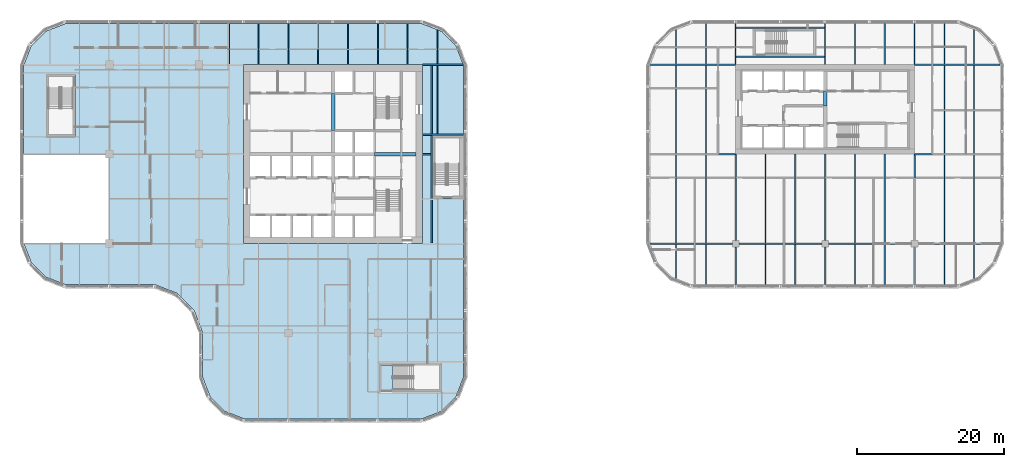
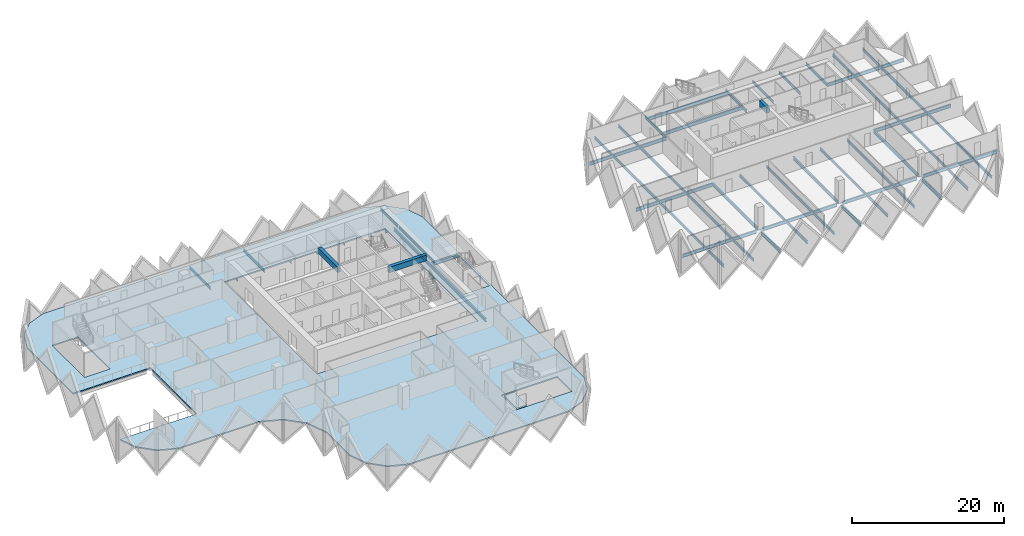
# One storey, part 2 of 18: 61 beams, 2 slabs.
"""IFC4 building model written with IfcOpenShell, lengths in metres."""

from ifc_helpers import new_model, si_unit, direction, frame, origin, origin_2d, place, context, subcontext, project, spatial, polyline, rectangle, i_section, outline, extrude, material, layer, layer_set, material_profile, profile_set, type_object, element, save


model = new_model("IFC4")

# Units and contexts
model_context = context("Model", 3, precision=1e-05, world=origin(), true_north=direction((0.0, 1.0)))
body_context = subcontext(model_context, "Body", "Model", "MODEL_VIEW")
ifc_project = project(units=[si_unit("LENGTHUNIT", "METRE"), si_unit("AREAUNIT", "SQUARE_METRE"), si_unit("VOLUMEUNIT", "CUBIC_METRE"), si_unit("PLANEANGLEUNIT", "RADIAN"), si_unit("MASSUNIT", "GRAM", prefix="KILO")], contexts=[model_context])

# Site, building, storey
site_placement = place(None, origin())
site = spatial("IfcSite", under=ifc_project, at=site_placement, CompositionType="ELEMENT")
building_placement = place(site_placement, origin())
building = spatial("IfcBuilding", under=site, at=building_placement, Name="Tessera Gate Towers", CompositionType="ELEMENT")
storey_placement = place(building_placement, frame((0.0, 0.0, 37.199951171875)))
storey = spatial("IfcBuildingStorey", under=building, at=storey_placement, Name="L08", CompositionType="ELEMENT", Elevation=37.199951171875)

# Beams
ifc_material_1 = material(Name="Concrete C60/75", Category="concrete")
ifc_material_profile_1 = material_profile(ifc_material_1, rectangle(XDim=0.5, YDim=0.89990234375, at=origin_2d()), Name="RC 500x900")
ifc_profile_set_1 = profile_set([ifc_material_profile_1], Name="Concrete C60/75")
beam_type_1 = type_object("IfcBeamType", Name="COUPLING BEAM 500x900 C60/75", PredefinedType="BEAM", material=ifc_profile_set_1)
beam_1_placement = place(storey_placement, frame((109.800048828125, 43.199951171875, 3.150146484375), z_axis=(0.0, 1.0, 0.0), x_axis=(-1.0, 0.0, 0.0)))
element("IfcBeam", 1, at=beam_1_placement, inside=storey, type_object=beam_type_1, Name="L08 coupling beam 1", PredefinedType="BEAM", context=body_context, shape_type="SweptSolid", body=[
    extrude(rectangle(XDim=0.5, YDim=0.89990234375, at=origin_2d()), origin(), (0.0, 0.0, 1.0), 2.0),
])
ifc_material_2 = material(Name="Concrete C70/85", Category="concrete")
ifc_material_profile_2 = material_profile(ifc_material_2, rectangle(XDim=0.5, YDim=0.89990234375, at=origin_2d()), Name="RC 500x900")
ifc_profile_set_2 = profile_set([ifc_material_profile_2], Name="Concrete C70/85")
beam_type_2 = type_object("IfcBeamType", Name="COUPLING BEAM 500x900 C70/85", PredefinedType="BEAM", material=ifc_profile_set_2)
beam_2_placement = place(storey_placement, frame((48.35009765625, 36.60009765625, 3.150146484375), z_axis=(1.0, 0.0, 0.0), x_axis=(0.0, 1.0, 0.0)))
element("IfcBeam", 2, at=beam_2_placement, inside=storey, type_object=beam_type_2, Name="L08 coupling beam 1", PredefinedType="BEAM", context=body_context, shape_type="SweptSolid", body=[
    extrude(rectangle(XDim=0.5, YDim=0.89990234375, at=origin_2d()), origin(), (0.0, 0.0, 1.0), 5.64990234375),
])
beam_3_placement = place(storey_placement, frame((42.699951171875, 39.800048828125, 3.150146484375), z_axis=(0.0, 1.0, 0.0), x_axis=(-1.0, 0.0, 0.0)))
element("IfcBeam", 3, at=beam_3_placement, inside=storey, type_object=beam_type_2, Name="L08 coupling beam 2", PredefinedType="BEAM", context=body_context, shape_type="SweptSolid", body=[
    extrude(rectangle(XDim=0.5, YDim=0.89990234375, at=origin_2d()), origin(), (0.0, 0.0, 1.0), 5.099853515625),
])
ifc_material_3 = material(Name="Steel 350W", Category="steel")
ifc_material_profile_3 = material_profile(ifc_material_3, i_section(OverallWidth=0.208984375, OverallDepth=0.532958984375, WebThickness=0.01025390625, FlangeThickness=0.015625, at=origin_2d()), Name="W530x92")
ifc_profile_set_3 = profile_set([ifc_material_profile_3], Name="Steel 350W")
beam_type_3 = type_object("IfcBeamType", Name="FLOOR GIRDER W530x92", PredefinedType="BEAM", material=ifc_profile_set_3)
beam_4_placement = place(storey_placement, frame((54.89892578125, 36.60009765625, -0.466552734375), z_axis=(1.0, 0.0, 0.0), x_axis=(0.0, 1.0, 0.0)))
element("IfcBeam", 4, at=beam_4_placement, inside=storey, type_object=beam_type_3, Name="T1-GD-L08-1286", PredefinedType="BEAM", context=body_context, shape_type="SweptSolid", body=[
    extrude(i_section(OverallWidth=0.208984375, OverallDepth=0.532958984375, WebThickness=0.01025390625, FlangeThickness=0.015625, at=origin_2d()), origin(), (0.0, 0.0, 1.0), 1.176513671875),
])
beam_5_placement = place(storey_placement, frame((54.90087890625, 48.800048828125, -0.466552734375), z_axis=(1.0, 0.0, 0.0), x_axis=(0.0, 1.0, 0.0)))
element("IfcBeam", 5, at=beam_5_placement, inside=storey, type_object=beam_type_3, Name="T1-GD-L08-1290", PredefinedType="BEAM", context=body_context, shape_type="SweptSolid", body=[
    extrude(i_section(OverallWidth=0.208984375, OverallDepth=0.532958984375, WebThickness=0.01025390625, FlangeThickness=0.015625, at=origin_2d()), origin(), (0.0, 0.0, 1.0), 5.564208984375),
])
beam_6_placement = place(storey_placement, frame((54.89892578125, 39.219970703125, -0.466552734375), z_axis=(1.0, 0.0, 0.0), x_axis=(0.0, 1.0, 0.0)))
element("IfcBeam", 6, at=beam_6_placement, inside=storey, type_object=beam_type_3, Name="T1-GD-L08-1308", PredefinedType="BEAM", context=body_context, shape_type="SweptSolid", body=[
    extrude(i_section(OverallWidth=0.208984375, OverallDepth=0.532958984375, WebThickness=0.01025390625, FlangeThickness=0.015625, at=origin_2d()), origin(), (0.0, 0.0, 1.0), 5.60205078125),
])
beam_7_placement = place(storey_placement, frame((56.179931640625, 24.50439453125, -0.466552734375), z_axis=(0.0, 1.0, 0.0), x_axis=(-1.0, 0.0, 0.0)))
element("IfcBeam", 7, at=beam_7_placement, inside=storey, type_object=beam_type_3, Name="T1-GD-L08-1309", PredefinedType="BEAM", context=body_context, shape_type="SweptSolid", body=[
    extrude(i_section(OverallWidth=0.208984375, OverallDepth=0.532958984375, WebThickness=0.01025390625, FlangeThickness=0.015625, at=origin_2d()), origin(), (0.0, 0.0, 1.0), 24.191162109375),
])
beam_8_placement = place(storey_placement, frame((85.934814453125, 24.39990234375, -0.466552734375), z_axis=(1.0, 0.0, 0.0), x_axis=(0.0, 1.0, 0.0)))
element("IfcBeam", 8, at=beam_8_placement, inside=storey, type_object=beam_type_3, Name="T2-GD-L08-1350", PredefinedType="BEAM", context=body_context, shape_type="SweptSolid", body=[
    extrude(i_section(OverallWidth=0.208984375, OverallDepth=0.532958984375, WebThickness=0.01025390625, FlangeThickness=0.015625, at=origin_2d()), origin(), (0.0, 0.0, 1.0), 11.215087890625),
])
for number, where, z_axis, x_axis, name in (
    (9, (98.050048828125, 24.39990234375, -0.466552734375), (1.0, 0.0, 0.0), (0.0, 1.0, 0.0), "T2-GD-L08-1351"),
    (10, (110.25, 24.39990234375, -0.466552734375), (1.0, 0.0, 0.0), (0.0, 1.0, 0.0), "T2-GD-L08-1352"),
):
    element("IfcBeam", number, at=place(storey_placement, frame(where, z_axis=z_axis, x_axis=x_axis)), inside=storey, type_object=beam_type_3, Name=name, PredefinedType="BEAM", context=body_context, shape_type="SweptSolid", body=[
        extrude(i_section(OverallWidth=0.208984375, OverallDepth=0.532958984375, WebThickness=0.01025390625, FlangeThickness=0.015625, at=origin_2d()), origin(), (0.0, 0.0, 1.0), 11.300048828125),
    ])
beam_9_placement = place(storey_placement, frame((122.449951171875, 24.39990234375, -0.466552734375), z_axis=(1.0, 0.0, 0.0), x_axis=(0.0, 1.0, 0.0)))
element("IfcBeam", 11, at=beam_9_placement, inside=storey, type_object=beam_type_3, Name="T2-GD-L08-1353", PredefinedType="BEAM", context=body_context, shape_type="SweptSolid", body=[
    extrude(i_section(OverallWidth=0.208984375, OverallDepth=0.532958984375, WebThickness=0.01025390625, FlangeThickness=0.015625, at=origin_2d()), origin(), (0.0, 0.0, 1.0), 11.21533203125),
])
beam_10_placement = place(storey_placement, frame((85.89892578125, 36.60009765625, -0.466552734375), z_axis=(1.0, 0.0, 0.0), x_axis=(0.0, 1.0, 0.0)))
element("IfcBeam", 12, at=beam_10_placement, inside=storey, type_object=beam_type_3, Name="T2-GD-L08-1354", PredefinedType="BEAM", context=body_context, shape_type="SweptSolid", body=[
    extrude(i_section(OverallWidth=0.208984375, OverallDepth=0.532958984375, WebThickness=0.01025390625, FlangeThickness=0.015625, at=origin_2d()), origin(), (0.0, 0.0, 1.0), 11.7001953125),
])
beam_11_placement = place(storey_placement, frame((122.0009765625, 36.60009765625, -0.466552734375), z_axis=(1.0, 0.0, 0.0), x_axis=(0.0, 1.0, 0.0)))
element("IfcBeam", 13, at=beam_11_placement, inside=storey, type_object=beam_type_3, Name="T2-GD-L08-1355", PredefinedType="BEAM", context=body_context, shape_type="SweptSolid", body=[
    extrude(i_section(OverallWidth=0.208984375, OverallDepth=0.532958984375, WebThickness=0.01025390625, FlangeThickness=0.015625, at=origin_2d()), origin(), (0.0, 0.0, 1.0), 11.699951171875),
])
for number, where, z_axis, x_axis, name in (
    (14, (85.934814453125, 48.800048828125, -0.466552734375), (1.0, 0.0, 0.0), (0.0, 1.0, 0.0), "T2-GD-L08-1356"),
    (15, (122.0009765625, 48.800048828125, -0.466552734375), (1.0, 0.0, 0.0), (0.0, 1.0, 0.0), "T2-GD-L08-1357"),
):
    element("IfcBeam", number, at=place(storey_placement, frame(where, z_axis=z_axis, x_axis=x_axis)), inside=storey, type_object=beam_type_3, Name=name, PredefinedType="BEAM", context=body_context, shape_type="SweptSolid", body=[
        extrude(i_section(OverallWidth=0.208984375, OverallDepth=0.532958984375, WebThickness=0.01025390625, FlangeThickness=0.015625, at=origin_2d()), origin(), (0.0, 0.0, 1.0), 11.664306640625),
    ])
beam_12_placement = place(storey_placement, frame((97.60009765625, 18.799072265625, -0.466552734375), z_axis=(0.0, 1.0, 0.0), x_axis=(-1.0, 0.0, 0.0)))
element("IfcBeam", 16, at=beam_12_placement, inside=storey, type_object=beam_type_3, Name="T2-GD-L08-1358", PredefinedType="BEAM", context=body_context, shape_type="SweptSolid", body=[
    extrude(i_section(OverallWidth=0.208984375, OverallDepth=0.532958984375, WebThickness=0.01025390625, FlangeThickness=0.015625, at=origin_2d()), origin(), (0.0, 0.0, 1.0), 5.15087890625),
])
beam_13_placement = place(storey_placement, frame((97.60009765625, 24.85009765625, -0.466552734375), z_axis=(0.0, 1.0, 0.0), x_axis=(-1.0, 0.0, 0.0)))
element("IfcBeam", 17, at=beam_13_placement, inside=storey, type_object=beam_type_3, Name="T2-GD-L08-1359", PredefinedType="BEAM", context=body_context, shape_type="SweptSolid", body=[
    extrude(i_section(OverallWidth=0.208984375, OverallDepth=0.532958984375, WebThickness=0.01025390625, FlangeThickness=0.015625, at=origin_2d()), origin(), (0.0, 0.0, 1.0), 11.75),
])
beam_14_placement = place(storey_placement, frame((109.800048828125, 18.799072265625, -0.466552734375), z_axis=(0.0, 1.0, 0.0), x_axis=(-1.0, 0.0, 0.0)))
element("IfcBeam", 18, at=beam_14_placement, inside=storey, type_object=beam_type_3, Name="T2-GD-L08-1360", PredefinedType="BEAM", context=body_context, shape_type="SweptSolid", body=[
    extrude(i_section(OverallWidth=0.208984375, OverallDepth=0.532958984375, WebThickness=0.01025390625, FlangeThickness=0.015625, at=origin_2d()), origin(), (0.0, 0.0, 1.0), 5.15087890625),
])
beam_15_placement = place(storey_placement, frame((109.800048828125, 24.85009765625, -0.466552734375), z_axis=(0.0, 1.0, 0.0), x_axis=(-1.0, 0.0, 0.0)))
element("IfcBeam", 19, at=beam_15_placement, inside=storey, type_object=beam_type_3, Name="T2-GD-L08-1361", PredefinedType="BEAM", context=body_context, shape_type="SweptSolid", body=[
    extrude(i_section(OverallWidth=0.208984375, OverallDepth=0.532958984375, WebThickness=0.01025390625, FlangeThickness=0.015625, at=origin_2d()), origin(), (0.0, 0.0, 1.0), 11.75),
])
beam_16_placement = place(storey_placement, frame((122.0, 18.799072265625, -0.466552734375), z_axis=(0.0, 1.0, 0.0), x_axis=(-1.0, 0.0, 0.0)))
element("IfcBeam", 20, at=beam_16_placement, inside=storey, type_object=beam_type_3, Name="T2-GD-L08-1362", PredefinedType="BEAM", context=body_context, shape_type="SweptSolid", body=[
    extrude(i_section(OverallWidth=0.208984375, OverallDepth=0.532958984375, WebThickness=0.01025390625, FlangeThickness=0.015625, at=origin_2d()), origin(), (0.0, 0.0, 1.0), 5.15087890625),
])
beam_17_placement = place(storey_placement, frame((122.0, 24.85009765625, -0.466552734375), z_axis=(0.0, 1.0, 0.0), x_axis=(-1.0, 0.0, 0.0)))
element("IfcBeam", 21, at=beam_17_placement, inside=storey, type_object=beam_type_3, Name="T2-GD-L08-1363", PredefinedType="BEAM", context=body_context, shape_type="SweptSolid", body=[
    extrude(i_section(OverallWidth=0.208984375, OverallDepth=0.532958984375, WebThickness=0.01025390625, FlangeThickness=0.015625, at=origin_2d()), origin(), (0.0, 0.0, 1.0), 11.75),
])
for number, where, z_axis, x_axis, name in (
    (22, (97.676513671875, 49.8798828125, -0.466552734375), (1.0, 0.0, 0.0), (0.0, 1.0, 0.0), "T2-GD-L08-1364"),
    (23, (97.676513671875, 53.820068359375, -0.466552734375), (1.0, 0.0, 0.0), (0.0, 1.0, 0.0), "T2-GD-L08-1365"),
):
    element("IfcBeam", number, at=place(storey_placement, frame(where, z_axis=z_axis, x_axis=x_axis)), inside=storey, type_object=beam_type_3, Name=name, PredefinedType="BEAM", context=body_context, shape_type="SweptSolid", body=[
        extrude(i_section(OverallWidth=0.208984375, OverallDepth=0.532958984375, WebThickness=0.01025390625, FlangeThickness=0.015625, at=origin_2d()), origin(), (0.0, 0.0, 1.0), 12.046875),
    ])
ifc_material_4 = material(Name="Steel 350W", Category="steel")
ifc_material_profile_4 = material_profile(ifc_material_4, i_section(OverallWidth=0.153076171875, OverallDepth=0.455078125, WebThickness=0.008056640625, FlangeThickness=0.01318359375, at=origin_2d()), Name="W460x60")
ifc_profile_set_4 = profile_set([ifc_material_profile_4], Name="Steel 350W")
beam_type_4 = type_object("IfcBeamType", Name="FLOOR SECONDARY W460x60", PredefinedType="BEAM", material=ifc_profile_set_4)
beam_18_placement = place(storey_placement, frame((28.466796875, 48.904541015625, -0.427490234375), z_axis=(0.0, 1.0, 0.0), x_axis=(-1.0, 0.0, 0.0)))
element("IfcBeam", 24, at=beam_18_placement, inside=storey, type_object=beam_type_4, Name="T1-BM-L08-1328", PredefinedType="BEAM", context=body_context, shape_type="SweptSolid", body=[
    extrude(i_section(OverallWidth=0.153076171875, OverallDepth=0.455078125, WebThickness=0.008056640625, FlangeThickness=0.01318359375, at=origin_2d()), origin(), (0.0, 0.0, 1.0), 5.495361328125),
])
for number, where, z_axis, x_axis, name in (
    (25, (32.533203125, 48.800048828125, -0.427490234375), (0.0, 1.0, 0.0), (-1.0, 0.0, 0.0), "T1-BM-L08-1331"),
    (26, (36.60009765625, 48.800048828125, -0.427490234375), (0.0, 1.0, 0.0), (-1.0, 0.0, 0.0), "T1-BM-L08-1332"),
    (27, (40.666748046875, 48.800048828125, -0.427490234375), (0.0, 1.0, 0.0), (-1.0, 0.0, 0.0), "T1-BM-L08-1335"),
    (28, (44.7333984375, 48.800048828125, -0.427490234375), (0.0, 1.0, 0.0), (-1.0, 0.0, 0.0), "T1-BM-L08-1338"),
    (29, (48.800048828125, 48.800048828125, -0.427490234375), (0.0, 1.0, 0.0), (-1.0, 0.0, 0.0), "T1-BM-L08-1339"),
    (30, (52.86669921875, 48.800048828125, -0.427490234375), (0.0, 1.0, 0.0), (-1.0, 0.0, 0.0), "T1-BM-L08-1343"),
):
    element("IfcBeam", number, at=place(storey_placement, frame(where, z_axis=z_axis, x_axis=x_axis)), inside=storey, type_object=beam_type_4, Name=name, PredefinedType="BEAM", context=body_context, shape_type="SweptSolid", body=[
        extrude(i_section(OverallWidth=0.153076171875, OverallDepth=0.455078125, WebThickness=0.008056640625, FlangeThickness=0.01318359375, at=origin_2d()), origin(), (0.0, 0.0, 1.0), 5.599853515625),
    ])
beam_19_placement = place(storey_placement, frame((56.933349609375, 39.324462890625, -0.427490234375), z_axis=(0.0, 1.0, 0.0), x_axis=(-1.0, 0.0, 0.0)))
element("IfcBeam", 31, at=beam_19_placement, inside=storey, type_object=beam_type_4, Name="T1-BM-L08-1348", PredefinedType="BEAM", context=body_context, shape_type="SweptSolid", body=[
    extrude(i_section(OverallWidth=0.153076171875, OverallDepth=0.455078125, WebThickness=0.008056640625, FlangeThickness=0.01318359375, at=origin_2d()), origin(), (0.0, 0.0, 1.0), 9.37109375),
])
for number, where, z_axis, x_axis, name in (
    (32, (56.933349609375, 48.904541015625, -0.427490234375), (0.0, 1.0, 0.0), (-1.0, 0.0, 0.0), "T1-BM-L08-1349"),
    (33, (89.466796875, 19.620361328125, -0.427490234375), (0.0, 1.0, 0.0), (-1.0, 0.0, 0.0), "T2-BM-L08-1366"),
):
    element("IfcBeam", number, at=place(storey_placement, frame(where, z_axis=z_axis, x_axis=x_axis)), inside=storey, type_object=beam_type_4, Name=name, PredefinedType="BEAM", context=body_context, shape_type="SweptSolid", body=[
        extrude(i_section(OverallWidth=0.153076171875, OverallDepth=0.455078125, WebThickness=0.008056640625, FlangeThickness=0.01318359375, at=origin_2d()), origin(), (0.0, 0.0, 1.0), 4.675048828125),
    ])
beam_20_placement = place(storey_placement, frame((89.466796875, 24.50439453125, -0.427490234375), z_axis=(0.0, 1.0, 0.0), x_axis=(-1.0, 0.0, 0.0)))
element("IfcBeam", 34, at=beam_20_placement, inside=storey, type_object=beam_type_4, Name="T2-BM-L08-1367", PredefinedType="BEAM", context=body_context, shape_type="SweptSolid", body=[
    extrude(i_section(OverallWidth=0.153076171875, OverallDepth=0.455078125, WebThickness=0.008056640625, FlangeThickness=0.01318359375, at=origin_2d()), origin(), (0.0, 0.0, 1.0), 11.9912109375),
])
beam_21_placement = place(storey_placement, frame((89.466796875, 36.70458984375, -0.427490234375), z_axis=(0.0, 1.0, 0.0), x_axis=(-1.0, 0.0, 0.0)))
element("IfcBeam", 35, at=beam_21_placement, inside=storey, type_object=beam_type_4, Name="T2-BM-L08-1368", PredefinedType="BEAM", context=body_context, shape_type="SweptSolid", body=[
    extrude(i_section(OverallWidth=0.153076171875, OverallDepth=0.455078125, WebThickness=0.008056640625, FlangeThickness=0.01318359375, at=origin_2d()), origin(), (0.0, 0.0, 1.0), 11.990966796875),
])
beam_22_placement = place(storey_placement, frame((89.466796875, 48.904541015625, -0.427490234375), z_axis=(0.0, 1.0, 0.0), x_axis=(-1.0, 0.0, 0.0)))
element("IfcBeam", 36, at=beam_22_placement, inside=storey, type_object=beam_type_4, Name="T2-BM-L08-1369", PredefinedType="BEAM", context=body_context, shape_type="SweptSolid", body=[
    extrude(i_section(OverallWidth=0.153076171875, OverallDepth=0.455078125, WebThickness=0.008056640625, FlangeThickness=0.01318359375, at=origin_2d()), origin(), (0.0, 0.0, 1.0), 4.675048828125),
])
beam_23_placement = place(storey_placement, frame((93.533203125, 18.800048828125, -0.427490234375), z_axis=(0.0, 1.0, 0.0), x_axis=(-1.0, 0.0, 0.0)))
element("IfcBeam", 37, at=beam_23_placement, inside=storey, type_object=beam_type_4, Name="T2-BM-L08-1370", PredefinedType="BEAM", context=body_context, shape_type="SweptSolid", body=[
    extrude(i_section(OverallWidth=0.153076171875, OverallDepth=0.455078125, WebThickness=0.008056640625, FlangeThickness=0.01318359375, at=origin_2d()), origin(), (0.0, 0.0, 1.0), 5.495361328125),
])
beam_24_placement = place(storey_placement, frame((93.533203125, 24.50439453125, -0.427490234375), z_axis=(0.0, 1.0, 0.0), x_axis=(-1.0, 0.0, 0.0)))
element("IfcBeam", 38, at=beam_24_placement, inside=storey, type_object=beam_type_4, Name="T2-BM-L08-1371", PredefinedType="BEAM", context=body_context, shape_type="SweptSolid", body=[
    extrude(i_section(OverallWidth=0.153076171875, OverallDepth=0.455078125, WebThickness=0.008056640625, FlangeThickness=0.01318359375, at=origin_2d()), origin(), (0.0, 0.0, 1.0), 11.9912109375),
])
beam_25_placement = place(storey_placement, frame((93.533203125, 36.70458984375, -0.427490234375), z_axis=(0.0, 1.0, 0.0), x_axis=(-1.0, 0.0, 0.0)))
element("IfcBeam", 39, at=beam_25_placement, inside=storey, type_object=beam_type_4, Name="T2-BM-L08-1372", PredefinedType="BEAM", context=body_context, shape_type="SweptSolid", body=[
    extrude(i_section(OverallWidth=0.153076171875, OverallDepth=0.455078125, WebThickness=0.008056640625, FlangeThickness=0.01318359375, at=origin_2d()), origin(), (0.0, 0.0, 1.0), 11.990966796875),
])
beam_26_placement = place(storey_placement, frame((93.533203125, 48.904541015625, -0.427490234375), z_axis=(0.0, 1.0, 0.0), x_axis=(-1.0, 0.0, 0.0)))
element("IfcBeam", 40, at=beam_26_placement, inside=storey, type_object=beam_type_4, Name="T2-BM-L08-1373", PredefinedType="BEAM", context=body_context, shape_type="SweptSolid", body=[
    extrude(i_section(OverallWidth=0.153076171875, OverallDepth=0.455078125, WebThickness=0.008056640625, FlangeThickness=0.01318359375, at=origin_2d()), origin(), (0.0, 0.0, 1.0), 5.495361328125),
])
beam_27_placement = place(storey_placement, frame((97.60009765625, 48.800048828125, -0.427490234375), z_axis=(0.0, 1.0, 0.0), x_axis=(-1.0, 0.0, 0.0)))
element("IfcBeam", 41, at=beam_27_placement, inside=storey, type_object=beam_type_4, Name="T2-BM-L08-1374", PredefinedType="BEAM", context=body_context, shape_type="SweptSolid", body=[
    extrude(i_section(OverallWidth=0.153076171875, OverallDepth=0.455078125, WebThickness=0.008056640625, FlangeThickness=0.01318359375, at=origin_2d()), origin(), (0.0, 0.0, 1.0), 5.599853515625),
])
beam_28_placement = place(storey_placement, frame((101.666748046875, 18.800048828125, -0.427490234375), z_axis=(0.0, 1.0, 0.0), x_axis=(-1.0, 0.0, 0.0)))
element("IfcBeam", 42, at=beam_28_placement, inside=storey, type_object=beam_type_4, Name="T2-BM-L08-1375", PredefinedType="BEAM", context=body_context, shape_type="SweptSolid", body=[
    extrude(i_section(OverallWidth=0.153076171875, OverallDepth=0.455078125, WebThickness=0.008056640625, FlangeThickness=0.01318359375, at=origin_2d()), origin(), (0.0, 0.0, 1.0), 5.495361328125),
])
beam_29_placement = place(storey_placement, frame((101.666748046875, 24.50439453125, -0.427490234375), z_axis=(0.0, 1.0, 0.0), x_axis=(-1.0, 0.0, 0.0)))
element("IfcBeam", 43, at=beam_29_placement, inside=storey, type_object=beam_type_4, Name="T2-BM-L08-1376", PredefinedType="BEAM", context=body_context, shape_type="SweptSolid", body=[
    extrude(i_section(OverallWidth=0.153076171875, OverallDepth=0.455078125, WebThickness=0.008056640625, FlangeThickness=0.01318359375, at=origin_2d()), origin(), (0.0, 0.0, 1.0), 12.095703125),
])
beam_30_placement = place(storey_placement, frame((105.7333984375, 18.800048828125, -0.427490234375), z_axis=(0.0, 1.0, 0.0), x_axis=(-1.0, 0.0, 0.0)))
element("IfcBeam", 44, at=beam_30_placement, inside=storey, type_object=beam_type_4, Name="T2-BM-L08-1377", PredefinedType="BEAM", context=body_context, shape_type="SweptSolid", body=[
    extrude(i_section(OverallWidth=0.153076171875, OverallDepth=0.455078125, WebThickness=0.008056640625, FlangeThickness=0.01318359375, at=origin_2d()), origin(), (0.0, 0.0, 1.0), 5.495361328125),
])
beam_31_placement = place(storey_placement, frame((105.7333984375, 24.50439453125, -0.427490234375), z_axis=(0.0, 1.0, 0.0), x_axis=(-1.0, 0.0, 0.0)))
element("IfcBeam", 45, at=beam_31_placement, inside=storey, type_object=beam_type_4, Name="T2-BM-L08-1378", PredefinedType="BEAM", context=body_context, shape_type="SweptSolid", body=[
    extrude(i_section(OverallWidth=0.153076171875, OverallDepth=0.455078125, WebThickness=0.008056640625, FlangeThickness=0.01318359375, at=origin_2d()), origin(), (0.0, 0.0, 1.0), 12.095703125),
])
beam_32_placement = place(storey_placement, frame((109.800048828125, 48.800048828125, -0.427490234375), z_axis=(0.0, 1.0, 0.0), x_axis=(-1.0, 0.0, 0.0)))
element("IfcBeam", 46, at=beam_32_placement, inside=storey, type_object=beam_type_4, Name="T2-BM-L08-1379", PredefinedType="BEAM", context=body_context, shape_type="SweptSolid", body=[
    extrude(i_section(OverallWidth=0.153076171875, OverallDepth=0.455078125, WebThickness=0.008056640625, FlangeThickness=0.01318359375, at=origin_2d()), origin(), (0.0, 0.0, 1.0), 5.599853515625),
])
beam_33_placement = place(storey_placement, frame((113.86669921875, 18.800048828125, -0.427490234375), z_axis=(0.0, 1.0, 0.0), x_axis=(-1.0, 0.0, 0.0)))
element("IfcBeam", 47, at=beam_33_placement, inside=storey, type_object=beam_type_4, Name="T2-BM-L08-1380", PredefinedType="BEAM", context=body_context, shape_type="SweptSolid", body=[
    extrude(i_section(OverallWidth=0.153076171875, OverallDepth=0.455078125, WebThickness=0.008056640625, FlangeThickness=0.01318359375, at=origin_2d()), origin(), (0.0, 0.0, 1.0), 5.495361328125),
])
beam_34_placement = place(storey_placement, frame((113.86669921875, 24.50439453125, -0.427490234375), z_axis=(0.0, 1.0, 0.0), x_axis=(-1.0, 0.0, 0.0)))
element("IfcBeam", 48, at=beam_34_placement, inside=storey, type_object=beam_type_4, Name="T2-BM-L08-1381", PredefinedType="BEAM", context=body_context, shape_type="SweptSolid", body=[
    extrude(i_section(OverallWidth=0.153076171875, OverallDepth=0.455078125, WebThickness=0.008056640625, FlangeThickness=0.01318359375, at=origin_2d()), origin(), (0.0, 0.0, 1.0), 12.095703125),
])
beam_35_placement = place(storey_placement, frame((113.86669921875, 48.800048828125, -0.427490234375), z_axis=(0.0, 1.0, 0.0), x_axis=(-1.0, 0.0, 0.0)))
element("IfcBeam", 49, at=beam_35_placement, inside=storey, type_object=beam_type_4, Name="T2-BM-L08-1382", PredefinedType="BEAM", context=body_context, shape_type="SweptSolid", body=[
    extrude(i_section(OverallWidth=0.153076171875, OverallDepth=0.455078125, WebThickness=0.008056640625, FlangeThickness=0.01318359375, at=origin_2d()), origin(), (0.0, 0.0, 1.0), 5.599853515625),
])
beam_36_placement = place(storey_placement, frame((117.933349609375, 18.800048828125, -0.427490234375), z_axis=(0.0, 1.0, 0.0), x_axis=(-1.0, 0.0, 0.0)))
element("IfcBeam", 50, at=beam_36_placement, inside=storey, type_object=beam_type_4, Name="T2-BM-L08-1383", PredefinedType="BEAM", context=body_context, shape_type="SweptSolid", body=[
    extrude(i_section(OverallWidth=0.153076171875, OverallDepth=0.455078125, WebThickness=0.008056640625, FlangeThickness=0.01318359375, at=origin_2d()), origin(), (0.0, 0.0, 1.0), 5.495361328125),
])
beam_37_placement = place(storey_placement, frame((117.933349609375, 24.50439453125, -0.427490234375), z_axis=(0.0, 1.0, 0.0), x_axis=(-1.0, 0.0, 0.0)))
element("IfcBeam", 51, at=beam_37_placement, inside=storey, type_object=beam_type_4, Name="T2-BM-L08-1384", PredefinedType="BEAM", context=body_context, shape_type="SweptSolid", body=[
    extrude(i_section(OverallWidth=0.153076171875, OverallDepth=0.455078125, WebThickness=0.008056640625, FlangeThickness=0.01318359375, at=origin_2d()), origin(), (0.0, 0.0, 1.0), 12.095703125),
])
for number, where, z_axis, x_axis, name in (
    (52, (117.933349609375, 48.800048828125, -0.427490234375), (0.0, 1.0, 0.0), (-1.0, 0.0, 0.0), "T2-BM-L08-1385"),
    (53, (122.0, 48.800048828125, -0.427490234375), (0.0, 1.0, 0.0), (-1.0, 0.0, 0.0), "T2-BM-L08-1386"),
):
    element("IfcBeam", number, at=place(storey_placement, frame(where, z_axis=z_axis, x_axis=x_axis)), inside=storey, type_object=beam_type_4, Name=name, PredefinedType="BEAM", context=body_context, shape_type="SweptSolid", body=[
        extrude(i_section(OverallWidth=0.153076171875, OverallDepth=0.455078125, WebThickness=0.008056640625, FlangeThickness=0.01318359375, at=origin_2d()), origin(), (0.0, 0.0, 1.0), 5.599853515625),
    ])
beam_38_placement = place(storey_placement, frame((126.066650390625, 18.800048828125, -0.427490234375), z_axis=(0.0, 1.0, 0.0), x_axis=(-1.0, 0.0, 0.0)))
element("IfcBeam", 54, at=beam_38_placement, inside=storey, type_object=beam_type_4, Name="T2-BM-L08-1387", PredefinedType="BEAM", context=body_context, shape_type="SweptSolid", body=[
    extrude(i_section(OverallWidth=0.153076171875, OverallDepth=0.455078125, WebThickness=0.008056640625, FlangeThickness=0.01318359375, at=origin_2d()), origin(), (0.0, 0.0, 1.0), 5.495361328125),
])
beam_39_placement = place(storey_placement, frame((126.066650390625, 24.50439453125, -0.427490234375), z_axis=(0.0, 1.0, 0.0), x_axis=(-1.0, 0.0, 0.0)))
element("IfcBeam", 55, at=beam_39_placement, inside=storey, type_object=beam_type_4, Name="T2-BM-L08-1388", PredefinedType="BEAM", context=body_context, shape_type="SweptSolid", body=[
    extrude(i_section(OverallWidth=0.153076171875, OverallDepth=0.455078125, WebThickness=0.008056640625, FlangeThickness=0.01318359375, at=origin_2d()), origin(), (0.0, 0.0, 1.0), 11.9912109375),
])
beam_40_placement = place(storey_placement, frame((126.066650390625, 36.70458984375, -0.427490234375), z_axis=(0.0, 1.0, 0.0), x_axis=(-1.0, 0.0, 0.0)))
element("IfcBeam", 56, at=beam_40_placement, inside=storey, type_object=beam_type_4, Name="T2-BM-L08-1389", PredefinedType="BEAM", context=body_context, shape_type="SweptSolid", body=[
    extrude(i_section(OverallWidth=0.153076171875, OverallDepth=0.455078125, WebThickness=0.008056640625, FlangeThickness=0.01318359375, at=origin_2d()), origin(), (0.0, 0.0, 1.0), 11.990966796875),
])
beam_41_placement = place(storey_placement, frame((126.066650390625, 48.904541015625, -0.427490234375), z_axis=(0.0, 1.0, 0.0), x_axis=(-1.0, 0.0, 0.0)))
element("IfcBeam", 57, at=beam_41_placement, inside=storey, type_object=beam_type_4, Name="T2-BM-L08-1390", PredefinedType="BEAM", context=body_context, shape_type="SweptSolid", body=[
    extrude(i_section(OverallWidth=0.153076171875, OverallDepth=0.455078125, WebThickness=0.008056640625, FlangeThickness=0.01318359375, at=origin_2d()), origin(), (0.0, 0.0, 1.0), 5.495361328125),
])
beam_42_placement = place(storey_placement, frame((130.13330078125, 19.620361328125, -0.427490234375), z_axis=(0.0, 1.0, 0.0), x_axis=(-1.0, 0.0, 0.0)))
element("IfcBeam", 58, at=beam_42_placement, inside=storey, type_object=beam_type_4, Name="T2-BM-L08-1391", PredefinedType="BEAM", context=body_context, shape_type="SweptSolid", body=[
    extrude(i_section(OverallWidth=0.153076171875, OverallDepth=0.455078125, WebThickness=0.008056640625, FlangeThickness=0.01318359375, at=origin_2d()), origin(), (0.0, 0.0, 1.0), 4.675048828125),
])
beam_43_placement = place(storey_placement, frame((130.13330078125, 24.50439453125, -0.427490234375), z_axis=(0.0, 1.0, 0.0), x_axis=(-1.0, 0.0, 0.0)))
element("IfcBeam", 59, at=beam_43_placement, inside=storey, type_object=beam_type_4, Name="T2-BM-L08-1392", PredefinedType="BEAM", context=body_context, shape_type="SweptSolid", body=[
    extrude(i_section(OverallWidth=0.153076171875, OverallDepth=0.455078125, WebThickness=0.008056640625, FlangeThickness=0.01318359375, at=origin_2d()), origin(), (0.0, 0.0, 1.0), 11.9912109375),
])
beam_44_placement = place(storey_placement, frame((130.13330078125, 36.70458984375, -0.427490234375), z_axis=(0.0, 1.0, 0.0), x_axis=(-1.0, 0.0, 0.0)))
element("IfcBeam", 60, at=beam_44_placement, inside=storey, type_object=beam_type_4, Name="T2-BM-L08-1393", PredefinedType="BEAM", context=body_context, shape_type="SweptSolid", body=[
    extrude(i_section(OverallWidth=0.153076171875, OverallDepth=0.455078125, WebThickness=0.008056640625, FlangeThickness=0.01318359375, at=origin_2d()), origin(), (0.0, 0.0, 1.0), 11.990966796875),
])
beam_45_placement = place(storey_placement, frame((130.13330078125, 48.904541015625, -0.427490234375), z_axis=(0.0, 1.0, 0.0), x_axis=(-1.0, 0.0, 0.0)))
element("IfcBeam", 61, at=beam_45_placement, inside=storey, type_object=beam_type_4, Name="T2-BM-L08-1394", PredefinedType="BEAM", context=body_context, shape_type="SweptSolid", body=[
    extrude(i_section(OverallWidth=0.153076171875, OverallDepth=0.455078125, WebThickness=0.008056640625, FlangeThickness=0.01318359375, at=origin_2d()), origin(), (0.0, 0.0, 1.0), 4.675048828125),
])

# Slabs
ifc_material_5 = material(Name="Concrete C35/45", Category="concrete")
ifc_layer_1 = layer(ifc_material_5, 0.199951171875)
ifc_layer_set_1 = layer_set([ifc_layer_1], Name="COMPOSITE FLOOR 200")
slab_type_1 = type_object("IfcSlabType", Name="COMPOSITE FLOOR 200", PredefinedType="FLOOR", material=ifc_layer_set_1)
slab_1_placement = place(storey_placement, frame((0.0, 0.0, -0.199951171875)))
element("IfcSlab", 62, at=slab_1_placement, inside=storey, type_object=slab_type_1, Name="T1-L08", PredefinedType="FLOOR", context=body_context, shape_type="SweptSolid", body=[
    extrude(outline(polyline([(0.5, 36.60009765625), (12.199951171875, 36.60009765625), (12.199951171875, 24.39990234375), (0.535888671875, 24.39990234375), (1.526123046875, 21.8330078125), (3.533203125, 19.826171875), (6.193115234375, 18.800048828125), (18.39306640625, 18.800048828125), (21.42431640625, 17.630615234375), (23.730712890625, 15.32421875), (24.89990234375, 12.293212890625), (24.89990234375, 6.193115234375), (25.926025390625, 3.533203125), (27.93310546875, 1.526123046875), (30.593017578125, 0.5), (54.806884765625, 0.5), (57.466796875, 1.526123046875), (59.473876953125, 3.533203125), (60.5, 6.193115234375), (60.5, 48.706787109375), (59.473876953125, 51.366943359375), (57.466796875, 53.373779296875), (54.806884765625, 54.39990234375), (6.193115234375, 54.39990234375), (3.533203125, 53.373779296875), (1.526123046875, 51.366943359375), (0.5, 48.706787109375), (0.5, 36.60009765625)]), holes=[polyline([(3.60009765625, 39.0), (3.60009765625, 47.5), (7.5, 47.5), (7.5, 39.0), (3.60009765625, 39.0)]), polyline([(30.5, 24.39990234375), (30.5, 48.800048828125), (54.89990234375, 48.800048828125), (54.89990234375, 24.39990234375), (30.5, 24.39990234375)]), polyline([(49.0, 4.199951171875), (49.0, 8.10009765625), (57.5, 8.10009765625), (57.5, 4.199951171875), (49.0, 4.199951171875)]), polyline([(56.300048828125, 30.60009765625), (56.300048828125, 39.10009765625), (60.199951171875, 39.10009765625), (60.199951171875, 30.60009765625), (56.300048828125, 30.60009765625)])]), origin(), (0.0, 0.0, 1.0), 0.199951171875),
])
ifc_material_6 = material(Name="Concrete C35/45", Category="concrete")
ifc_layer_2 = layer(ifc_material_6, 0.199951171875)
ifc_layer_set_2 = layer_set([ifc_layer_2], Name="CORE FLOOR SLAB 200")
slab_type_2 = type_object("IfcSlabType", Name="CORE FLOOR SLAB 200", PredefinedType="FLOOR", material=ifc_layer_set_2)
slab_2_placement = place(storey_placement, frame((0.0, 0.0, -0.199951171875)))
element("IfcSlab", 63, at=slab_2_placement, inside=storey, type_object=slab_type_2, Name="L08 ST4 floor landing", PredefinedType="FLOOR", context=body_context, shape_type="SweptSolid", body=[
    extrude(outline(polyline([(49.25, 4.449951171875), (50.85009765625, 4.449951171875), (50.85009765625, 7.85009765625), (49.25, 7.85009765625), (49.25, 4.449951171875)])), origin(), (0.0, 0.0, 1.0), 0.199951171875),
])

save(model, "model.ifc")
